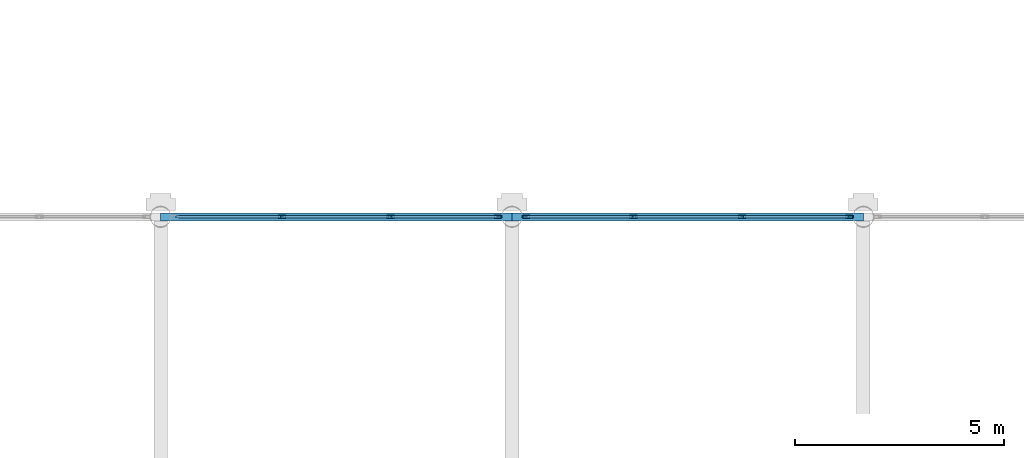
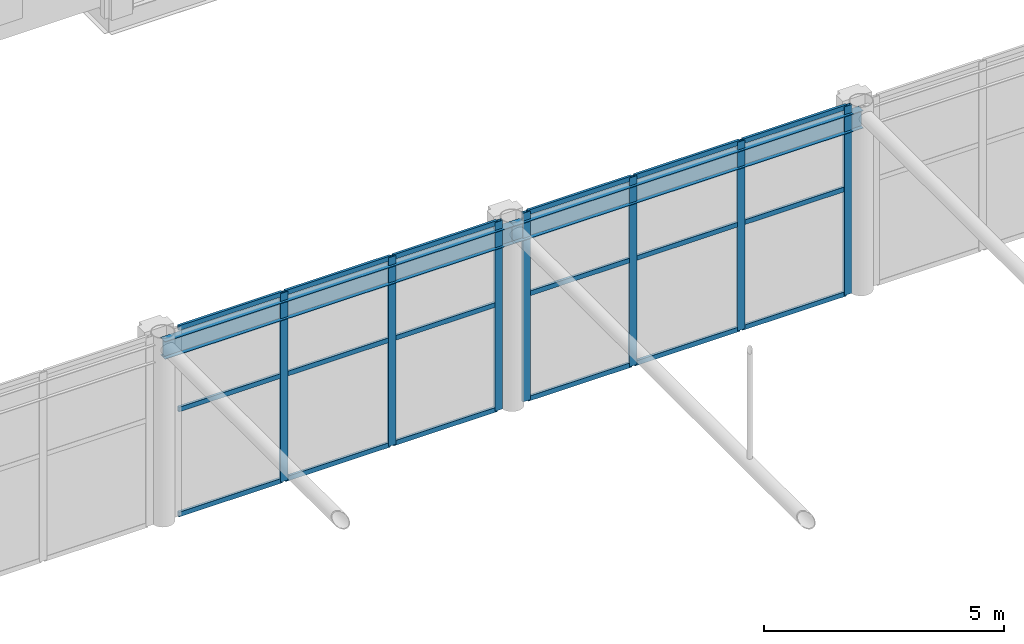
# One storey, part 83 of 167: 25 members, 2 beams, 2 elements without a shape of their own.
"""IFC4 building model written with IfcOpenShell, lengths in metres."""

from ifc_helpers import new_model, si_unit, direction, frame, origin, origin_2d, place, context, subcontext, project, spatial, hollow_rectangle, i_section, extrude, material, material_profile, profile_set, type_object, element, aggregate, save


model = new_model("IFC4")

# Units and contexts
model_context = context("Model", 3, precision=1e-05, world=origin(), true_north=direction((0.0, 1.0)))
body_context = subcontext(model_context, "Body", "Model", "MODEL_VIEW")
ifc_project = project(units=[si_unit("LENGTHUNIT", "METRE"), si_unit("AREAUNIT", "SQUARE_METRE"), si_unit("VOLUMEUNIT", "CUBIC_METRE"), si_unit("PLANEANGLEUNIT", "RADIAN"), si_unit("MASSUNIT", "GRAM", prefix="KILO")], contexts=[model_context])

# Site, building, storey
site_placement = place(None, origin())
site = spatial("IfcSite", under=ifc_project, at=site_placement, CompositionType="ELEMENT")
building_placement = place(site_placement, origin())
building = spatial("IfcBuilding", under=site, at=building_placement, Name="Catenary Quay Ferry Terminal", CompositionType="ELEMENT")
storey_placement = place(building_placement, frame((0.0, 0.0, 6.0)))
storey = spatial("IfcBuildingStorey", under=building, at=storey_placement, Name="L01", CompositionType="ELEMENT", Elevation=6.0)

# Beams
ifc_material_1 = material(Name="Steel S355", Category="steel")
ifc_material_profile_1 = material_profile(ifc_material_1, i_section(OverallWidth=0.18994140625, OverallDepth=0.453369140625, WebThickness=0.008544921875, FlangeThickness=0.0126953125, at=origin_2d()), Name="UB 457x191x67")
ifc_profile_set_1 = profile_set([ifc_material_profile_1], Name="Steel S355")
beam_type = type_object("IfcBeamType", Name="B1 UB 457x191x67", PredefinedType="BEAM", material=ifc_profile_set_1)
beam_1_placement = place(storey_placement, frame((42.0, 142.800048828125, 4.373046875), z_axis=(1.0, 0.0, 0.0), x_axis=(0.0, 1.0, 0.0)))
element("IfcBeam", 1, at=beam_1_placement, inside=storey, type_object=beam_type, Name="Beam B1-027", PredefinedType="BEAM", context=body_context, shape_type="SweptSolid", body=[
    extrude(i_section(OverallWidth=0.18994140625, OverallDepth=0.453369140625, WebThickness=0.008544921875, FlangeThickness=0.0126953125, at=origin_2d()), origin(), (0.0, 0.0, 1.0), 8.39990234375),
])
beam_2_placement = place(storey_placement, frame((50.39990234375, 142.800048828125, 4.373046875), z_axis=(1.0, 0.0, 0.0), x_axis=(0.0, 1.0, 0.0)))
element("IfcBeam", 2, at=beam_2_placement, inside=storey, type_object=beam_type, Name="Beam B1-028", PredefinedType="BEAM", context=body_context, shape_type="SweptSolid", body=[
    extrude(i_section(OverallWidth=0.18994140625, OverallDepth=0.453369140625, WebThickness=0.008544921875, FlangeThickness=0.0126953125, at=origin_2d()), origin(), (0.0, 0.0, 1.0), 8.400146484375),
])

# Curtain wall, members
ifc_material_2 = material(Name="Aluminium and glass", Category="aluminium")
curtain_wall_type = type_object("IfcCurtainWallType", Name="CWH", PredefinedType="NOTDEFINED", material=ifc_material_2)
curtain_wall_1_placement = place(storey_placement, origin())
curtain_wall_1 = element("IfcCurtainWall", 3, at=curtain_wall_1_placement, inside=storey, type_object=curtain_wall_type, Name="Hall curtain wall CW50", PredefinedType="NOTDEFINED")
ifc_material_3 = material(Name="Aluminium", Category="aluminium")
ifc_material_profile_2 = material_profile(ifc_material_3, hollow_rectangle(XDim=0.070068359375, YDim=0.179931640625, WallThickness=0.006103515625, at=origin_2d()), Name="MU3")
ifc_profile_set_2 = profile_set([ifc_material_profile_2], Name="Aluminium")
member_type_1 = type_object("IfcMemberType", Name="MU3", PredefinedType="MULLION", material=ifc_profile_set_2)
member_1_placement = place(storey_placement, frame((44.89990234375, 142.800048828125, 0.0), z_axis=(0.0, 0.0, 1.0), x_axis=(0.0, 1.0, 0.0)))
member_1 = element("IfcMember", 4, at=member_1_placement, type_object=member_type_1, Name="CW50 mullion 2", PredefinedType="MULLION", context=body_context, shape_type="SweptSolid", body=[
    extrude(hollow_rectangle(XDim=0.070068359375, YDim=0.179931640625, WallThickness=0.006103515625, at=origin_2d()), origin(), (0.0, 0.0, 1.0), 4.800048828125),
])
member_2_placement = place(storey_placement, frame((47.5, 142.800048828125, 0.0), z_axis=(0.0, 0.0, 1.0), x_axis=(0.0, 1.0, 0.0)))
member_2 = element("IfcMember", 5, at=member_2_placement, type_object=member_type_1, Name="CW50 mullion 3", PredefinedType="MULLION", context=body_context, shape_type="SweptSolid", body=[
    extrude(hollow_rectangle(XDim=0.070068359375, YDim=0.179931640625, WallThickness=0.006103515625, at=origin_2d()), origin(), (0.0, 0.0, 1.0), 4.800048828125),
])
member_3_placement = place(storey_placement, frame((50.06494140625, 142.800048828125, 0.0), z_axis=(0.0, 0.0, 1.0), x_axis=(0.0, 1.0, 0.0)))
member_3 = element("IfcMember", 6, at=member_3_placement, type_object=member_type_1, Name="CW50 mullion 4", PredefinedType="MULLION", context=body_context, shape_type="SweptSolid", body=[
    extrude(hollow_rectangle(XDim=0.070068359375, YDim=0.179931640625, WallThickness=0.006103515625, at=origin_2d()), origin(), (0.0, 0.0, 1.0), 4.800048828125),
])

curtain_wall_2_placement = place(storey_placement, origin())
curtain_wall_2 = element("IfcCurtainWall", 7, at=curtain_wall_2_placement, inside=storey, type_object=curtain_wall_type, Name="Hall curtain wall CW51", PredefinedType="NOTDEFINED")
member_4_placement = place(storey_placement, frame((50.735107421875, 142.800048828125, 0.0), z_axis=(0.0, 0.0, 1.0), x_axis=(0.0, 1.0, 0.0)))
member_4 = element("IfcMember", 8, at=member_4_placement, type_object=member_type_1, Name="CW51 mullion 1", PredefinedType="MULLION", context=body_context, shape_type="SweptSolid", body=[
    extrude(hollow_rectangle(XDim=0.070068359375, YDim=0.179931640625, WallThickness=0.006103515625, at=origin_2d()), origin(), (0.0, 0.0, 1.0), 4.800048828125),
])
member_5_placement = place(storey_placement, frame((53.300048828125, 142.800048828125, 0.0), z_axis=(0.0, 0.0, 1.0), x_axis=(0.0, 1.0, 0.0)))
member_5 = element("IfcMember", 9, at=member_5_placement, type_object=member_type_1, Name="CW51 mullion 2", PredefinedType="MULLION", context=body_context, shape_type="SweptSolid", body=[
    extrude(hollow_rectangle(XDim=0.070068359375, YDim=0.179931640625, WallThickness=0.006103515625, at=origin_2d()), origin(), (0.0, 0.0, 1.0), 4.800048828125),
])
member_6_placement = place(storey_placement, frame((55.89990234375, 142.800048828125, 0.0), z_axis=(0.0, 0.0, 1.0), x_axis=(0.0, 1.0, 0.0)))
member_6 = element("IfcMember", 10, at=member_6_placement, type_object=member_type_1, Name="CW51 mullion 3", PredefinedType="MULLION", context=body_context, shape_type="SweptSolid", body=[
    extrude(hollow_rectangle(XDim=0.070068359375, YDim=0.179931640625, WallThickness=0.006103515625, at=origin_2d()), origin(), (0.0, 0.0, 1.0), 4.800048828125),
])
member_7_placement = place(storey_placement, frame((58.465087890625, 142.800048828125, 0.0), z_axis=(0.0, 0.0, 1.0), x_axis=(0.0, 1.0, 0.0)))
member_7 = element("IfcMember", 11, at=member_7_placement, type_object=member_type_1, Name="CW51 mullion 4", PredefinedType="MULLION", context=body_context, shape_type="SweptSolid", body=[
    extrude(hollow_rectangle(XDim=0.070068359375, YDim=0.179931640625, WallThickness=0.006103515625, at=origin_2d()), origin(), (0.0, 0.0, 1.0), 4.800048828125),
])

# Member
ifc_material_4 = material(Name="Aluminium", Category="aluminium")
ifc_material_profile_3 = material_profile(ifc_material_4, hollow_rectangle(XDim=0.06005859375, YDim=0.1201171875, WallThickness=0.0048828125, at=origin_2d()), Name="TR3")
ifc_profile_set_3 = profile_set([ifc_material_profile_3], Name="Aluminium")
member_type_2 = type_object("IfcMemberType", Name="TR3", PredefinedType="USERDEFINED", material=ifc_profile_set_3)
member_8_placement = place(storey_placement, frame((42.3701171875, 142.800048828125, 0.030029296875), z_axis=(1.0, 0.0, 0.0), x_axis=(0.0, 1.0, 0.0)))
member_8 = element("IfcMember", 12, at=member_8_placement, type_object=member_type_2, Name="CW50 transom 1.1", ObjectType="TRANSOM", PredefinedType="USERDEFINED", context=body_context, shape_type="SweptSolid", body=[
    extrude(hollow_rectangle(XDim=0.06005859375, YDim=0.1201171875, WallThickness=0.0048828125, at=origin_2d()), origin(), (0.0, 0.0, 1.0), 2.494873046875),
])

member_9_placement = place(storey_placement, frame((42.3701171875, 142.800048828125, 2.699951171875), z_axis=(1.0, 0.0, 0.0), x_axis=(0.0, 1.0, 0.0)))
member_9 = element("IfcMember", 13, at=member_9_placement, type_object=member_type_2, Name="CW50 transom 1.2", ObjectType="TRANSOM", PredefinedType="USERDEFINED", context=body_context, shape_type="SweptSolid", body=[
    extrude(hollow_rectangle(XDim=0.06005859375, YDim=0.1201171875, WallThickness=0.0048828125, at=origin_2d()), origin(), (0.0, 0.0, 1.0), 2.494873046875),
])

member_10_placement = place(storey_placement, frame((42.3701171875, 142.800048828125, 4.77001953125), z_axis=(1.0, 0.0, 0.0), x_axis=(0.0, 1.0, 0.0)))
member_10 = element("IfcMember", 14, at=member_10_placement, type_object=member_type_2, Name="CW50 transom 1.3", ObjectType="TRANSOM", PredefinedType="USERDEFINED", context=body_context, shape_type="SweptSolid", body=[
    extrude(hollow_rectangle(XDim=0.06005859375, YDim=0.1201171875, WallThickness=0.0048828125, at=origin_2d()), origin(), (0.0, 0.0, 1.0), 2.494873046875),
])

member_11_placement = place(storey_placement, frame((44.93505859375, 142.800048828125, 0.030029296875), z_axis=(1.0, 0.0, 0.0), x_axis=(0.0, 1.0, 0.0)))
member_11 = element("IfcMember", 15, at=member_11_placement, type_object=member_type_2, Name="CW50 transom 2.1", ObjectType="TRANSOM", PredefinedType="USERDEFINED", context=body_context, shape_type="SweptSolid", body=[
    extrude(hollow_rectangle(XDim=0.06005859375, YDim=0.1201171875, WallThickness=0.0048828125, at=origin_2d()), origin(), (0.0, 0.0, 1.0), 2.530029296875),
])

member_12_placement = place(storey_placement, frame((44.93505859375, 142.800048828125, 2.699951171875), z_axis=(1.0, 0.0, 0.0), x_axis=(0.0, 1.0, 0.0)))
member_12 = element("IfcMember", 16, at=member_12_placement, type_object=member_type_2, Name="CW50 transom 2.2", ObjectType="TRANSOM", PredefinedType="USERDEFINED", context=body_context, shape_type="SweptSolid", body=[
    extrude(hollow_rectangle(XDim=0.06005859375, YDim=0.1201171875, WallThickness=0.0048828125, at=origin_2d()), origin(), (0.0, 0.0, 1.0), 2.530029296875),
])

member_13_placement = place(storey_placement, frame((44.93505859375, 142.800048828125, 4.77001953125), z_axis=(1.0, 0.0, 0.0), x_axis=(0.0, 1.0, 0.0)))
member_13 = element("IfcMember", 17, at=member_13_placement, type_object=member_type_2, Name="CW50 transom 2.3", ObjectType="TRANSOM", PredefinedType="USERDEFINED", context=body_context, shape_type="SweptSolid", body=[
    extrude(hollow_rectangle(XDim=0.06005859375, YDim=0.1201171875, WallThickness=0.0048828125, at=origin_2d()), origin(), (0.0, 0.0, 1.0), 2.530029296875),
])

member_14_placement = place(storey_placement, frame((47.534912109375, 142.800048828125, 0.030029296875), z_axis=(1.0, 0.0, 0.0), x_axis=(0.0, 1.0, 0.0)))
member_14 = element("IfcMember", 18, at=member_14_placement, type_object=member_type_2, Name="CW50 transom 3.1", ObjectType="TRANSOM", PredefinedType="USERDEFINED", context=body_context, shape_type="SweptSolid", body=[
    extrude(hollow_rectangle(XDim=0.06005859375, YDim=0.1201171875, WallThickness=0.0048828125, at=origin_2d()), origin(), (0.0, 0.0, 1.0), 2.4951171875),
])

member_15_placement = place(storey_placement, frame((47.534912109375, 142.800048828125, 2.699951171875), z_axis=(1.0, 0.0, 0.0), x_axis=(0.0, 1.0, 0.0)))
member_15 = element("IfcMember", 19, at=member_15_placement, type_object=member_type_2, Name="CW50 transom 3.2", ObjectType="TRANSOM", PredefinedType="USERDEFINED", context=body_context, shape_type="SweptSolid", body=[
    extrude(hollow_rectangle(XDim=0.06005859375, YDim=0.1201171875, WallThickness=0.0048828125, at=origin_2d()), origin(), (0.0, 0.0, 1.0), 2.4951171875),
])

member_16_placement = place(storey_placement, frame((47.534912109375, 142.800048828125, 4.77001953125), z_axis=(1.0, 0.0, 0.0), x_axis=(0.0, 1.0, 0.0)))
member_16 = element("IfcMember", 20, at=member_16_placement, type_object=member_type_2, Name="CW50 transom 3.3", ObjectType="TRANSOM", PredefinedType="USERDEFINED", context=body_context, shape_type="SweptSolid", body=[
    extrude(hollow_rectangle(XDim=0.06005859375, YDim=0.1201171875, WallThickness=0.0048828125, at=origin_2d()), origin(), (0.0, 0.0, 1.0), 2.4951171875),
])

aggregate(curtain_wall_1, [member_1, member_2, member_3, member_8, member_9, member_10, member_11, member_12, member_13, member_14, member_15, member_16])

member_17_placement = place(storey_placement, frame((50.77001953125, 142.800048828125, 0.030029296875), z_axis=(1.0, 0.0, 0.0), x_axis=(0.0, 1.0, 0.0)))
member_17 = element("IfcMember", 21, at=member_17_placement, type_object=member_type_2, Name="CW51 transom 1.1", ObjectType="TRANSOM", PredefinedType="USERDEFINED", context=body_context, shape_type="SweptSolid", body=[
    extrude(hollow_rectangle(XDim=0.06005859375, YDim=0.1201171875, WallThickness=0.0048828125, at=origin_2d()), origin(), (0.0, 0.0, 1.0), 2.494873046875),
])

member_18_placement = place(storey_placement, frame((50.77001953125, 142.800048828125, 2.699951171875), z_axis=(1.0, 0.0, 0.0), x_axis=(0.0, 1.0, 0.0)))
member_18 = element("IfcMember", 22, at=member_18_placement, type_object=member_type_2, Name="CW51 transom 1.2", ObjectType="TRANSOM", PredefinedType="USERDEFINED", context=body_context, shape_type="SweptSolid", body=[
    extrude(hollow_rectangle(XDim=0.06005859375, YDim=0.1201171875, WallThickness=0.0048828125, at=origin_2d()), origin(), (0.0, 0.0, 1.0), 2.494873046875),
])

member_19_placement = place(storey_placement, frame((50.77001953125, 142.800048828125, 4.77001953125), z_axis=(1.0, 0.0, 0.0), x_axis=(0.0, 1.0, 0.0)))
member_19 = element("IfcMember", 23, at=member_19_placement, type_object=member_type_2, Name="CW51 transom 1.3", ObjectType="TRANSOM", PredefinedType="USERDEFINED", context=body_context, shape_type="SweptSolid", body=[
    extrude(hollow_rectangle(XDim=0.06005859375, YDim=0.1201171875, WallThickness=0.0048828125, at=origin_2d()), origin(), (0.0, 0.0, 1.0), 2.494873046875),
])

member_20_placement = place(storey_placement, frame((53.3349609375, 142.800048828125, 0.030029296875), z_axis=(1.0, 0.0, 0.0), x_axis=(0.0, 1.0, 0.0)))
member_20 = element("IfcMember", 24, at=member_20_placement, type_object=member_type_2, Name="CW51 transom 2.1", ObjectType="TRANSOM", PredefinedType="USERDEFINED", context=body_context, shape_type="SweptSolid", body=[
    extrude(hollow_rectangle(XDim=0.06005859375, YDim=0.1201171875, WallThickness=0.0048828125, at=origin_2d()), origin(), (0.0, 0.0, 1.0), 2.530029296875),
])

member_21_placement = place(storey_placement, frame((53.3349609375, 142.800048828125, 2.699951171875), z_axis=(1.0, 0.0, 0.0), x_axis=(0.0, 1.0, 0.0)))
member_21 = element("IfcMember", 25, at=member_21_placement, type_object=member_type_2, Name="CW51 transom 2.2", ObjectType="TRANSOM", PredefinedType="USERDEFINED", context=body_context, shape_type="SweptSolid", body=[
    extrude(hollow_rectangle(XDim=0.06005859375, YDim=0.1201171875, WallThickness=0.0048828125, at=origin_2d()), origin(), (0.0, 0.0, 1.0), 2.530029296875),
])

member_22_placement = place(storey_placement, frame((53.3349609375, 142.800048828125, 4.77001953125), z_axis=(1.0, 0.0, 0.0), x_axis=(0.0, 1.0, 0.0)))
member_22 = element("IfcMember", 26, at=member_22_placement, type_object=member_type_2, Name="CW51 transom 2.3", ObjectType="TRANSOM", PredefinedType="USERDEFINED", context=body_context, shape_type="SweptSolid", body=[
    extrude(hollow_rectangle(XDim=0.06005859375, YDim=0.1201171875, WallThickness=0.0048828125, at=origin_2d()), origin(), (0.0, 0.0, 1.0), 2.530029296875),
])

member_23_placement = place(storey_placement, frame((55.93505859375, 142.800048828125, 0.030029296875), z_axis=(1.0, 0.0, 0.0), x_axis=(0.0, 1.0, 0.0)))
member_23 = element("IfcMember", 27, at=member_23_placement, type_object=member_type_2, Name="CW51 transom 3.1", ObjectType="TRANSOM", PredefinedType="USERDEFINED", context=body_context, shape_type="SweptSolid", body=[
    extrude(hollow_rectangle(XDim=0.06005859375, YDim=0.1201171875, WallThickness=0.0048828125, at=origin_2d()), origin(), (0.0, 0.0, 1.0), 2.494873046875),
])

member_24_placement = place(storey_placement, frame((55.93505859375, 142.800048828125, 2.699951171875), z_axis=(1.0, 0.0, 0.0), x_axis=(0.0, 1.0, 0.0)))
member_24 = element("IfcMember", 28, at=member_24_placement, type_object=member_type_2, Name="CW51 transom 3.2", ObjectType="TRANSOM", PredefinedType="USERDEFINED", context=body_context, shape_type="SweptSolid", body=[
    extrude(hollow_rectangle(XDim=0.06005859375, YDim=0.1201171875, WallThickness=0.0048828125, at=origin_2d()), origin(), (0.0, 0.0, 1.0), 2.494873046875),
])

member_25_placement = place(storey_placement, frame((55.93505859375, 142.800048828125, 4.77001953125), z_axis=(1.0, 0.0, 0.0), x_axis=(0.0, 1.0, 0.0)))
member_25 = element("IfcMember", 29, at=member_25_placement, type_object=member_type_2, Name="CW51 transom 3.3", ObjectType="TRANSOM", PredefinedType="USERDEFINED", context=body_context, shape_type="SweptSolid", body=[
    extrude(hollow_rectangle(XDim=0.06005859375, YDim=0.1201171875, WallThickness=0.0048828125, at=origin_2d()), origin(), (0.0, 0.0, 1.0), 2.494873046875),
])

aggregate(curtain_wall_2, [member_4, member_5, member_6, member_7, member_17, member_18, member_19, member_20, member_21, member_22, member_23, member_24, member_25])

save(model, "model.ifc")
